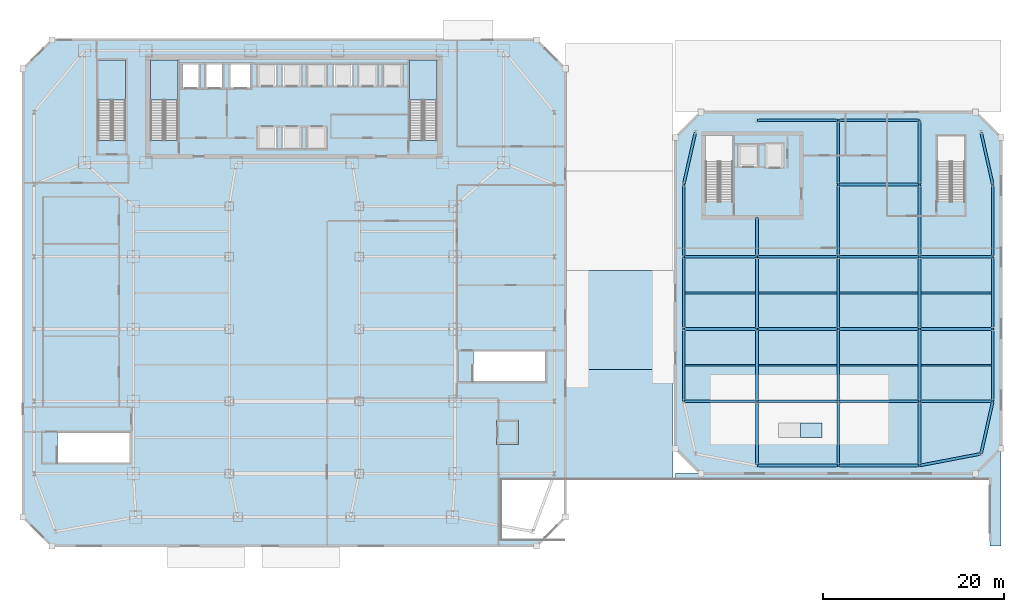
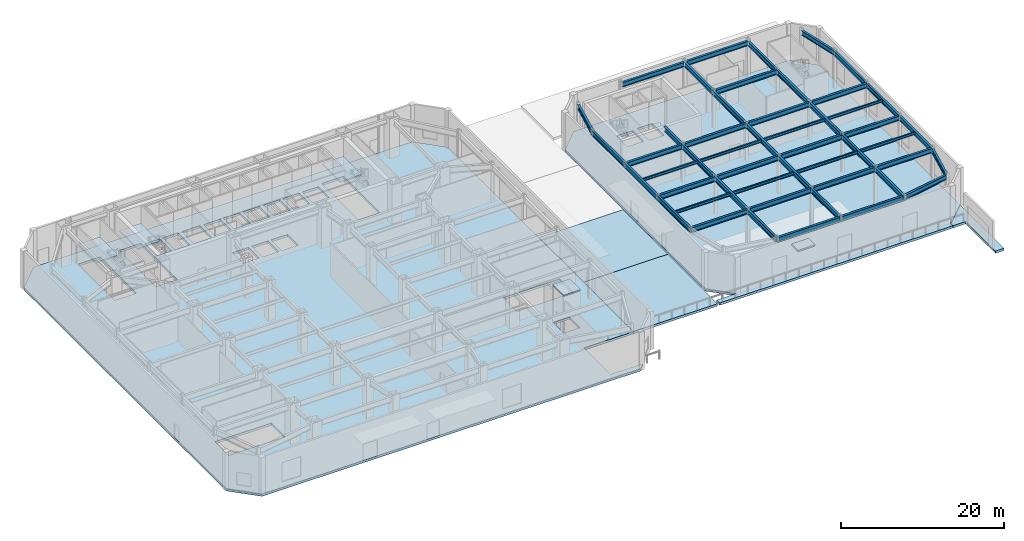
# One storey, part 9 of 23: 49 beams, 10 slabs, 4 elements without a shape of their own.
"""IFC4 building model written with IfcOpenShell, lengths in metres."""

from ifc_helpers import new_model, si_unit, direction, frame, origin, origin_2d, place, context, subcontext, project, spatial, polyline, i_section, outline, extrude, material, layer, layer_set, material_profile, profile_set, type_object, element, aggregate, save


model = new_model("IFC4")

# Units and contexts
model_context = context("Model", 3, precision=1e-05, world=origin(), true_north=direction((0.0, 1.0)))
body_context = subcontext(model_context, "Body", "Model", "MODEL_VIEW")
ifc_project = project(units=[si_unit("LENGTHUNIT", "METRE"), si_unit("AREAUNIT", "SQUARE_METRE"), si_unit("VOLUMEUNIT", "CUBIC_METRE"), si_unit("PLANEANGLEUNIT", "RADIAN"), si_unit("MASSUNIT", "GRAM", prefix="KILO")], contexts=[model_context])

# Site, building, storey
site_placement = place(None, origin())
site = spatial("IfcSite", under=ifc_project, at=site_placement, CompositionType="ELEMENT")
building_placement = place(site_placement, origin())
building = spatial("IfcBuilding", under=site, at=building_placement, Name="Saevonmaru Cultural Tower", CompositionType="ELEMENT")
storey_placement = place(building_placement, origin())
storey = spatial("IfcBuildingStorey", under=building, at=storey_placement, Name="L00", CompositionType="ELEMENT", Elevation=0.0)

# Beams
ifc_material_1 = material(Name="Steel SM355", Category="steel")
ifc_material_profile_1 = material_profile(ifc_material_1, i_section(OverallWidth=0.300048828125, OverallDepth=0.699951171875, WebThickness=0.012939453125, FlangeThickness=0.02392578125, FilletRadius=0.02587890625, at=origin_2d()), Name="H-700x300x13x24")
ifc_profile_set_1 = profile_set([ifc_material_profile_1], Name="Steel SM355")
beam_type_1 = type_object("IfcBeamType", Name="BM-G-H700", PredefinedType="BEAM", material=ifc_profile_set_1)
for number, where, z_axis, x_axis, name in (
    (1, (81.260009765625, 8.89990234375, 5.35009765625), (1.0, 0.0, 0.0), (0.0, 1.0, 0.0), "L00 Library Girder EW-1-2"),
    (2, (90.260009765625, 8.89990234375, 5.35009765625), (1.0, 0.0, 0.0), (0.0, 1.0, 0.0), "L00 Library Girder EW-1-3"),
):
    element("IfcBeam", number, at=place(storey_placement, frame(where, z_axis=z_axis, x_axis=x_axis)), inside=storey, type_object=beam_type_1, Name=name, PredefinedType="BEAM", context=body_context, shape_type="SweptSolid", body=[
        extrude(i_section(OverallWidth=0.300048828125, OverallDepth=0.699951171875, WebThickness=0.012939453125, FlangeThickness=0.02392578125, FilletRadius=0.02587890625, at=origin_2d()), origin(), (0.0, 0.0, 1.0), 8.8798828125),
    ])
beam_1_placement = place(storey_placement, frame((99.2587890625, 8.911376953125, 5.35009765625), z_axis=(0.982216489393, 0.187751878722, 0.0), x_axis=(-0.187751878722, 0.982216489393, 0.0)))
element("IfcBeam", 3, at=beam_1_placement, inside=storey, type_object=beam_type_1, Name="L00 Library Girder EW-1-4", PredefinedType="BEAM", context=body_context, shape_type="SweptSolid", body=[
    extrude(i_section(OverallWidth=0.300048828125, OverallDepth=0.699951171875, WebThickness=0.012939453125, FlangeThickness=0.02392578125, FilletRadius=0.02587890625, at=origin_2d()), origin(), (0.0, 0.0, 1.0), 6.803466796875),
])
beam_2_placement = place(storey_placement, frame((73.159912109375, 16.0, 5.35009765625), z_axis=(1.0, 0.0, 0.0), x_axis=(0.0, 1.0, 0.0)))
element("IfcBeam", 4, at=beam_2_placement, inside=storey, type_object=beam_type_1, Name="L00 Library Girder EW-2-1", PredefinedType="BEAM", context=body_context, shape_type="SweptSolid", body=[
    extrude(i_section(OverallWidth=0.300048828125, OverallDepth=0.699951171875, WebThickness=0.012939453125, FlangeThickness=0.02392578125, FilletRadius=0.02587890625, at=origin_2d()), origin(), (0.0, 0.0, 1.0), 7.97998046875),
])
for number, where, z_axis, x_axis, name in (
    (5, (81.260009765625, 16.0, 5.35009765625), (1.0, 0.0, 0.0), (0.0, 1.0, 0.0), "L00 Library Girder EW-2-2"),
    (6, (90.260009765625, 16.0, 5.35009765625), (1.0, 0.0, 0.0), (0.0, 1.0, 0.0), "L00 Library Girder EW-2-3"),
):
    element("IfcBeam", number, at=place(storey_placement, frame(where, z_axis=z_axis, x_axis=x_axis)), inside=storey, type_object=beam_type_1, Name=name, PredefinedType="BEAM", context=body_context, shape_type="SweptSolid", body=[
        extrude(i_section(OverallWidth=0.300048828125, OverallDepth=0.699951171875, WebThickness=0.012939453125, FlangeThickness=0.02392578125, FilletRadius=0.02587890625, at=origin_2d()), origin(), (0.0, 0.0, 1.0), 8.8798828125),
    ])
for number, where, z_axis, x_axis, name in (
    (7, (99.260009765625, 16.0, 5.35009765625), (1.0, 0.0, 0.0), (0.0, 1.0, 0.0), "L00 Library Girder EW-2-4"),
    (8, (73.159912109375, 24.0, 5.35009765625), (1.0, 0.0, 0.0), (0.0, 1.0, 0.0), "L00 Library Girder EW-3-1"),
):
    element("IfcBeam", number, at=place(storey_placement, frame(where, z_axis=z_axis, x_axis=x_axis)), inside=storey, type_object=beam_type_1, Name=name, PredefinedType="BEAM", context=body_context, shape_type="SweptSolid", body=[
        extrude(i_section(OverallWidth=0.300048828125, OverallDepth=0.699951171875, WebThickness=0.012939453125, FlangeThickness=0.02392578125, FilletRadius=0.02587890625, at=origin_2d()), origin(), (0.0, 0.0, 1.0), 7.97998046875),
    ])
for number, where, z_axis, x_axis, name in (
    (9, (81.260009765625, 24.0, 5.35009765625), (1.0, 0.0, 0.0), (0.0, 1.0, 0.0), "L00 Library Girder EW-3-2"),
    (10, (90.260009765625, 24.0, 5.35009765625), (1.0, 0.0, 0.0), (0.0, 1.0, 0.0), "L00 Library Girder EW-3-3"),
):
    element("IfcBeam", number, at=place(storey_placement, frame(where, z_axis=z_axis, x_axis=x_axis)), inside=storey, type_object=beam_type_1, Name=name, PredefinedType="BEAM", context=body_context, shape_type="SweptSolid", body=[
        extrude(i_section(OverallWidth=0.300048828125, OverallDepth=0.699951171875, WebThickness=0.012939453125, FlangeThickness=0.02392578125, FilletRadius=0.02587890625, at=origin_2d()), origin(), (0.0, 0.0, 1.0), 8.8798828125),
    ])
for number, where, z_axis, x_axis, name in (
    (11, (99.260009765625, 24.0, 5.35009765625), (1.0, 0.0, 0.0), (0.0, 1.0, 0.0), "L00 Library Girder EW-3-4"),
    (12, (73.159912109375, 32.0, 5.35009765625), (1.0, 0.0, 0.0), (0.0, 1.0, 0.0), "L00 Library Girder EW-4-1"),
):
    element("IfcBeam", number, at=place(storey_placement, frame(where, z_axis=z_axis, x_axis=x_axis)), inside=storey, type_object=beam_type_1, Name=name, PredefinedType="BEAM", context=body_context, shape_type="SweptSolid", body=[
        extrude(i_section(OverallWidth=0.300048828125, OverallDepth=0.699951171875, WebThickness=0.012939453125, FlangeThickness=0.02392578125, FilletRadius=0.02587890625, at=origin_2d()), origin(), (0.0, 0.0, 1.0), 7.97998046875),
    ])
for number, where, z_axis, x_axis, name in (
    (13, (81.260009765625, 32.0, 5.35009765625), (1.0, 0.0, 0.0), (0.0, 1.0, 0.0), "L00 Library Girder EW-4-2"),
    (14, (90.260009765625, 32.0, 5.35009765625), (1.0, 0.0, 0.0), (0.0, 1.0, 0.0), "L00 Library Girder EW-4-3"),
):
    element("IfcBeam", number, at=place(storey_placement, frame(where, z_axis=z_axis, x_axis=x_axis)), inside=storey, type_object=beam_type_1, Name=name, PredefinedType="BEAM", context=body_context, shape_type="SweptSolid", body=[
        extrude(i_section(OverallWidth=0.300048828125, OverallDepth=0.699951171875, WebThickness=0.012939453125, FlangeThickness=0.02392578125, FilletRadius=0.02587890625, at=origin_2d()), origin(), (0.0, 0.0, 1.0), 8.8798828125),
    ])
beam_3_placement = place(storey_placement, frame((99.260009765625, 32.0, 5.35009765625), z_axis=(1.0, 0.0, 0.0), x_axis=(0.0, 1.0, 0.0)))
element("IfcBeam", 15, at=beam_3_placement, inside=storey, type_object=beam_type_1, Name="L00 Library Girder EW-4-4", PredefinedType="BEAM", context=body_context, shape_type="SweptSolid", body=[
    extrude(i_section(OverallWidth=0.300048828125, OverallDepth=0.699951171875, WebThickness=0.012939453125, FlangeThickness=0.02392578125, FilletRadius=0.02587890625, at=origin_2d()), origin(), (0.0, 0.0, 1.0), 7.97998046875),
])
for number, where, z_axis, x_axis, name in (
    (16, (90.260009765625, 40.0, 5.35009765625), (1.0, 0.0, 0.0), (0.0, 1.0, 0.0), "L00 Library Girder EW-5-3"),
    (17, (81.260009765625, 47.10009765625, 5.35009765625), (1.0, 0.0, 0.0), (0.0, 1.0, 0.0), "L00 Library Girder EW-6-2"),
    (18, (90.260009765625, 47.10009765625, 5.35009765625), (1.0, 0.0, 0.0), (0.0, 1.0, 0.0), "L00 Library Girder EW-6-3"),
):
    element("IfcBeam", number, at=place(storey_placement, frame(where, z_axis=z_axis, x_axis=x_axis)), inside=storey, type_object=beam_type_1, Name=name, PredefinedType="BEAM", context=body_context, shape_type="SweptSolid", body=[
        extrude(i_section(OverallWidth=0.300048828125, OverallDepth=0.699951171875, WebThickness=0.012939453125, FlangeThickness=0.02392578125, FilletRadius=0.02587890625, at=origin_2d()), origin(), (0.0, 0.0, 1.0), 8.8798828125),
    ])
for number, where, z_axis, x_axis, name in (
    (19, (73.10009765625, 16.06005859375, 5.35009765625), (0.0, 1.0, 0.0), (-1.0, 0.0, 0.0), "L00 Library Girder NS-1-2"),
    (20, (73.10009765625, 24.06005859375, 5.35009765625), (0.0, 1.0, 0.0), (-1.0, 0.0, 0.0), "L00 Library Girder NS-1-3"),
    (21, (73.10009765625, 32.06005859375, 5.35009765625), (0.0, 1.0, 0.0), (-1.0, 0.0, 0.0), "L00 Library Girder NS-1-4"),
):
    element("IfcBeam", number, at=place(storey_placement, frame(where, z_axis=z_axis, x_axis=x_axis)), inside=storey, type_object=beam_type_1, Name=name, PredefinedType="BEAM", context=body_context, shape_type="SweptSolid", body=[
        extrude(i_section(OverallWidth=0.300048828125, OverallDepth=0.699951171875, WebThickness=0.012939453125, FlangeThickness=0.02392578125, FilletRadius=0.02587890625, at=origin_2d()), origin(), (0.0, 0.0, 1.0), 7.8798828125),
    ])
beam_4_placement = place(storey_placement, frame((73.113037109375, 40.05859375, 5.35009765625), z_axis=(0.218741049138, 0.975782943806, 0.0), x_axis=(-0.975782943806, 0.218741049138, 0.0)))
element("IfcBeam", 22, at=beam_4_placement, inside=storey, type_object=beam_type_1, Name="L00 Library Girder NS-1-5", PredefinedType="BEAM", context=body_context, shape_type="SweptSolid", body=[
    extrude(i_section(OverallWidth=0.300048828125, OverallDepth=0.699951171875, WebThickness=0.012939453125, FlangeThickness=0.02392578125, FilletRadius=0.02587890625, at=origin_2d()), origin(), (0.0, 0.0, 1.0), 5.823974609375),
])
beam_5_placement = place(storey_placement, frame((81.199951171875, 8.9599609375, 5.35009765625), z_axis=(0.0, 1.0, 0.0), x_axis=(-1.0, 0.0, 0.0)))
element("IfcBeam", 23, at=beam_5_placement, inside=storey, type_object=beam_type_1, Name="L00 Library Girder NS-2-1", PredefinedType="BEAM", context=body_context, shape_type="SweptSolid", body=[
    extrude(i_section(OverallWidth=0.300048828125, OverallDepth=0.699951171875, WebThickness=0.012939453125, FlangeThickness=0.02392578125, FilletRadius=0.02587890625, at=origin_2d()), origin(), (0.0, 0.0, 1.0), 6.97998046875),
])
for number, where, z_axis, x_axis, name in (
    (24, (81.199951171875, 16.06005859375, 5.35009765625), (0.0, 1.0, 0.0), (-1.0, 0.0, 0.0), "L00 Library Girder NS-2-2"),
    (25, (81.199951171875, 24.06005859375, 5.35009765625), (0.0, 1.0, 0.0), (-1.0, 0.0, 0.0), "L00 Library Girder NS-2-3"),
):
    element("IfcBeam", number, at=place(storey_placement, frame(where, z_axis=z_axis, x_axis=x_axis)), inside=storey, type_object=beam_type_1, Name=name, PredefinedType="BEAM", context=body_context, shape_type="SweptSolid", body=[
        extrude(i_section(OverallWidth=0.300048828125, OverallDepth=0.699951171875, WebThickness=0.012939453125, FlangeThickness=0.02392578125, FilletRadius=0.02587890625, at=origin_2d()), origin(), (0.0, 0.0, 1.0), 7.8798828125),
    ])
beam_6_placement = place(storey_placement, frame((81.199951171875, 32.06005859375, 5.35009765625), z_axis=(0.0, 1.0, 0.0), x_axis=(-1.0, 0.0, 0.0)))
element("IfcBeam", 26, at=beam_6_placement, inside=storey, type_object=beam_type_1, Name="L00 Library Core-Bearing Girder NS-2-4", PredefinedType="BEAM", context=body_context, shape_type="SweptSolid", body=[
    extrude(i_section(OverallWidth=0.300048828125, OverallDepth=0.699951171875, WebThickness=0.012939453125, FlangeThickness=0.02392578125, FilletRadius=0.02587890625, at=origin_2d()), origin(), (0.0, 0.0, 1.0), 4.2900390625),
])
beam_7_placement = place(storey_placement, frame((90.199951171875, 8.9599609375, 5.35009765625), z_axis=(0.0, 1.0, 0.0), x_axis=(-1.0, 0.0, 0.0)))
element("IfcBeam", 27, at=beam_7_placement, inside=storey, type_object=beam_type_1, Name="L00 Library Girder NS-3-1", PredefinedType="BEAM", context=body_context, shape_type="SweptSolid", body=[
    extrude(i_section(OverallWidth=0.300048828125, OverallDepth=0.699951171875, WebThickness=0.012939453125, FlangeThickness=0.02392578125, FilletRadius=0.02587890625, at=origin_2d()), origin(), (0.0, 0.0, 1.0), 6.97998046875),
])
for number, where, z_axis, x_axis, name in (
    (28, (90.199951171875, 16.06005859375, 5.35009765625), (0.0, 1.0, 0.0), (-1.0, 0.0, 0.0), "L00 Library Girder NS-3-2"),
    (29, (90.199951171875, 24.06005859375, 5.35009765625), (0.0, 1.0, 0.0), (-1.0, 0.0, 0.0), "L00 Library Girder NS-3-3"),
    (30, (90.199951171875, 32.06005859375, 5.35009765625), (0.0, 1.0, 0.0), (-1.0, 0.0, 0.0), "L00 Library Girder NS-3-4"),
):
    element("IfcBeam", number, at=place(storey_placement, frame(where, z_axis=z_axis, x_axis=x_axis)), inside=storey, type_object=beam_type_1, Name=name, PredefinedType="BEAM", context=body_context, shape_type="SweptSolid", body=[
        extrude(i_section(OverallWidth=0.300048828125, OverallDepth=0.699951171875, WebThickness=0.012939453125, FlangeThickness=0.02392578125, FilletRadius=0.02587890625, at=origin_2d()), origin(), (0.0, 0.0, 1.0), 7.8798828125),
    ])
for number, where, z_axis, x_axis, name in (
    (31, (90.199951171875, 40.06005859375, 5.35009765625), (0.0, 1.0, 0.0), (-1.0, 0.0, 0.0), "L00 Library Girder NS-3-5"),
    (32, (99.199951171875, 8.9599609375, 5.35009765625), (0.0, 1.0, 0.0), (-1.0, 0.0, 0.0), "L00 Library Girder NS-4-1"),
):
    element("IfcBeam", number, at=place(storey_placement, frame(where, z_axis=z_axis, x_axis=x_axis)), inside=storey, type_object=beam_type_1, Name=name, PredefinedType="BEAM", context=body_context, shape_type="SweptSolid", body=[
        extrude(i_section(OverallWidth=0.300048828125, OverallDepth=0.699951171875, WebThickness=0.012939453125, FlangeThickness=0.02392578125, FilletRadius=0.02587890625, at=origin_2d()), origin(), (0.0, 0.0, 1.0), 6.97998046875),
    ])
for number, where, z_axis, x_axis, name in (
    (33, (99.199951171875, 16.06005859375, 5.35009765625), (0.0, 1.0, 0.0), (-1.0, 0.0, 0.0), "L00 Library Girder NS-4-2"),
    (34, (99.199951171875, 24.06005859375, 5.35009765625), (0.0, 1.0, 0.0), (-1.0, 0.0, 0.0), "L00 Library Girder NS-4-3"),
    (35, (99.199951171875, 32.06005859375, 5.35009765625), (0.0, 1.0, 0.0), (-1.0, 0.0, 0.0), "L00 Library Girder NS-4-4"),
):
    element("IfcBeam", number, at=place(storey_placement, frame(where, z_axis=z_axis, x_axis=x_axis)), inside=storey, type_object=beam_type_1, Name=name, PredefinedType="BEAM", context=body_context, shape_type="SweptSolid", body=[
        extrude(i_section(OverallWidth=0.300048828125, OverallDepth=0.699951171875, WebThickness=0.012939453125, FlangeThickness=0.02392578125, FilletRadius=0.02587890625, at=origin_2d()), origin(), (0.0, 0.0, 1.0), 7.8798828125),
    ])
beam_8_placement = place(storey_placement, frame((99.199951171875, 40.06005859375, 5.35009765625), z_axis=(0.0, 1.0, 0.0), x_axis=(-1.0, 0.0, 0.0)))
element("IfcBeam", 36, at=beam_8_placement, inside=storey, type_object=beam_type_1, Name="L00 Library Girder NS-4-5", PredefinedType="BEAM", context=body_context, shape_type="SweptSolid", body=[
    extrude(i_section(OverallWidth=0.300048828125, OverallDepth=0.699951171875, WebThickness=0.012939453125, FlangeThickness=0.02392578125, FilletRadius=0.02587890625, at=origin_2d()), origin(), (0.0, 0.0, 1.0), 6.97998046875),
])
beam_9_placement = place(storey_placement, frame((106.01318359375, 10.258544921875, 5.35009765625), z_axis=(0.218701133908, 0.975791890737, 0.0), x_axis=(-0.975791890737, 0.218701133908, 0.0)))
element("IfcBeam", 37, at=beam_9_placement, inside=storey, type_object=beam_type_1, Name="L00 Library Girder NS-5-1", PredefinedType="BEAM", context=body_context, shape_type="SweptSolid", body=[
    extrude(i_section(OverallWidth=0.300048828125, OverallDepth=0.699951171875, WebThickness=0.012939453125, FlangeThickness=0.02392578125, FilletRadius=0.02587890625, at=origin_2d()), origin(), (0.0, 0.0, 1.0), 5.82373046875),
])
for number, where, z_axis, x_axis, name in (
    (38, (107.300048828125, 16.06005859375, 5.35009765625), (0.0, 1.0, 0.0), (-1.0, 0.0, 0.0), "L00 Library Girder NS-5-2"),
    (39, (107.300048828125, 24.06005859375, 5.35009765625), (0.0, 1.0, 0.0), (-1.0, 0.0, 0.0), "L00 Library Girder NS-5-3"),
    (40, (107.300048828125, 32.06005859375, 5.35009765625), (0.0, 1.0, 0.0), (-1.0, 0.0, 0.0), "L00 Library Girder NS-5-4"),
):
    element("IfcBeam", number, at=place(storey_placement, frame(where, z_axis=z_axis, x_axis=x_axis)), inside=storey, type_object=beam_type_1, Name=name, PredefinedType="BEAM", context=body_context, shape_type="SweptSolid", body=[
        extrude(i_section(OverallWidth=0.300048828125, OverallDepth=0.699951171875, WebThickness=0.012939453125, FlangeThickness=0.02392578125, FilletRadius=0.02587890625, at=origin_2d()), origin(), (0.0, 0.0, 1.0), 7.8798828125),
    ])
beam_10_placement = place(storey_placement, frame((107.286865234375, 40.05859375, 5.35009765625), z_axis=(-0.218701133908, 0.975791890737, 0.0), x_axis=(-0.975791890737, -0.218701133908, 0.0)))
element("IfcBeam", 41, at=beam_10_placement, inside=storey, type_object=beam_type_1, Name="L00 Library Girder NS-5-5", PredefinedType="BEAM", context=body_context, shape_type="SweptSolid", body=[
    extrude(i_section(OverallWidth=0.300048828125, OverallDepth=0.699951171875, WebThickness=0.012939453125, FlangeThickness=0.02392578125, FilletRadius=0.02587890625, at=origin_2d()), origin(), (0.0, 0.0, 1.0), 5.82373046875),
])
ifc_material_profile_2 = material_profile(ifc_material_1, i_section(OverallWidth=0.199951171875, OverallDepth=0.39990234375, WebThickness=0.008056640625, FlangeThickness=0.012939453125, FilletRadius=0.01611328125, at=origin_2d()), Name="H-400x200x8x13")
ifc_profile_set_2 = profile_set([ifc_material_profile_2], Name="Steel SM355")
beam_type_2 = type_object("IfcBeamType", Name="BM-J-H400", PredefinedType="JOIST", material=ifc_profile_set_2)
beam_11_placement = place(storey_placement, frame((73.258056640625, 20.0, 5.5), z_axis=(1.0, 0.0, 0.0), x_axis=(0.0, 1.0, 0.0)))
element("IfcBeam", 42, at=beam_11_placement, inside=storey, type_object=beam_type_2, Name="L00 Library Joist J-2-1", PredefinedType="JOIST", context=body_context, shape_type="SweptSolid", body=[
    extrude(i_section(OverallWidth=0.199951171875, OverallDepth=0.39990234375, WebThickness=0.008056640625, FlangeThickness=0.012939453125, FilletRadius=0.01611328125, at=origin_2d()), origin(), (0.0, 0.0, 1.0), 7.783935546875),
])
for number, where, z_axis, x_axis, name in (
    (43, (81.35791015625, 20.0, 5.5), (1.0, 0.0, 0.0), (0.0, 1.0, 0.0), "L00 Library Joist J-2-2"),
    (44, (90.35791015625, 20.0, 5.5), (1.0, 0.0, 0.0), (0.0, 1.0, 0.0), "L00 Library Joist J-2-3"),
):
    element("IfcBeam", number, at=place(storey_placement, frame(where, z_axis=z_axis, x_axis=x_axis)), inside=storey, type_object=beam_type_2, Name=name, PredefinedType="JOIST", context=body_context, shape_type="SweptSolid", body=[
        extrude(i_section(OverallWidth=0.199951171875, OverallDepth=0.39990234375, WebThickness=0.008056640625, FlangeThickness=0.012939453125, FilletRadius=0.01611328125, at=origin_2d()), origin(), (0.0, 0.0, 1.0), 8.68408203125),
    ])
beam_12_placement = place(storey_placement, frame((99.35791015625, 20.0, 5.5), z_axis=(1.0, 0.0, 0.0), x_axis=(0.0, 1.0, 0.0)))
element("IfcBeam", 45, at=beam_12_placement, inside=storey, type_object=beam_type_2, Name="L00 Library Joist J-2-4", PredefinedType="JOIST", context=body_context, shape_type="SweptSolid", body=[
    extrude(i_section(OverallWidth=0.199951171875, OverallDepth=0.39990234375, WebThickness=0.008056640625, FlangeThickness=0.012939453125, FilletRadius=0.01611328125, at=origin_2d()), origin(), (0.0, 0.0, 1.0), 7.7841796875),
])
beam_13_placement = place(storey_placement, frame((73.258056640625, 28.0, 5.5), z_axis=(1.0, 0.0, 0.0), x_axis=(0.0, 1.0, 0.0)))
element("IfcBeam", 46, at=beam_13_placement, inside=storey, type_object=beam_type_2, Name="L00 Library Joist J-3-1", PredefinedType="JOIST", context=body_context, shape_type="SweptSolid", body=[
    extrude(i_section(OverallWidth=0.199951171875, OverallDepth=0.39990234375, WebThickness=0.008056640625, FlangeThickness=0.012939453125, FilletRadius=0.01611328125, at=origin_2d()), origin(), (0.0, 0.0, 1.0), 7.783935546875),
])
for number, where, z_axis, x_axis, name in (
    (47, (81.35791015625, 28.0, 5.5), (1.0, 0.0, 0.0), (0.0, 1.0, 0.0), "L00 Library Joist J-3-2"),
    (48, (90.35791015625, 28.0, 5.5), (1.0, 0.0, 0.0), (0.0, 1.0, 0.0), "L00 Library Joist J-3-3"),
):
    element("IfcBeam", number, at=place(storey_placement, frame(where, z_axis=z_axis, x_axis=x_axis)), inside=storey, type_object=beam_type_2, Name=name, PredefinedType="JOIST", context=body_context, shape_type="SweptSolid", body=[
        extrude(i_section(OverallWidth=0.199951171875, OverallDepth=0.39990234375, WebThickness=0.008056640625, FlangeThickness=0.012939453125, FilletRadius=0.01611328125, at=origin_2d()), origin(), (0.0, 0.0, 1.0), 8.68408203125),
    ])
beam_14_placement = place(storey_placement, frame((99.35791015625, 28.0, 5.5), z_axis=(1.0, 0.0, 0.0), x_axis=(0.0, 1.0, 0.0)))
element("IfcBeam", 49, at=beam_14_placement, inside=storey, type_object=beam_type_2, Name="L00 Library Joist J-3-4", PredefinedType="JOIST", context=body_context, shape_type="SweptSolid", body=[
    extrude(i_section(OverallWidth=0.199951171875, OverallDepth=0.39990234375, WebThickness=0.008056640625, FlangeThickness=0.012939453125, FilletRadius=0.01611328125, at=origin_2d()), origin(), (0.0, 0.0, 1.0), 7.7841796875),
])

# Ramp, slab
ifc_material_2 = material(Name="Concrete C40/50", Category="concrete")
ramp_type = type_object("IfcRampType", Name="RMP-PED-1600", PredefinedType="STRAIGHT_RUN_RAMP", material=ifc_material_2)
ramp_placement = place(storey_placement, origin())
ramp = element("IfcRamp", 50, at=ramp_placement, inside=storey, type_object=ramp_type, Name="L00 Barrier-Free Library Reading Dais Ramp PR-5", PredefinedType="STRAIGHT_RUN_RAMP")
ifc_layer_1 = layer(ifc_material_2, 0.199951171875, Name="Concrete C40/50")
ifc_layer_set_1 = layer_set([ifc_layer_1], Name="Concrete C40/50")
slab_type_1 = type_object("IfcSlabType", Name="SL-DAIS-200", PredefinedType="LANDING", material=ifc_layer_set_1)
slab_1_placement = place(storey_placement, origin())
slab_1 = element("IfcSlab", 51, at=slab_1_placement, type_object=slab_type_1, Name="L00 Library Reading Dais Landing 5", PredefinedType="LANDING", context=body_context, shape_type="SweptSolid", body=[
    extrude(outline(polyline([(86.0, 12.0), (88.39990234375, 12.0), (88.39990234375, 13.60009765625), (86.0, 13.60009765625), (86.0, 12.0)])), origin(), (0.0, 0.0, 1.0), 0.199951171875),
])
aggregate(ramp, [slab_1])

# Slabs
ifc_material_3 = material(Name="Concrete C50/60", Category="concrete")
ifc_layer_2 = layer(ifc_material_3, 0.35009765625, Name="Concrete C50/60")
ifc_layer_set_2 = layer_set([ifc_layer_2], Name="Concrete C50/60")
slab_type_2 = type_object("IfcSlabType", Name="SL-FLR-350", PredefinedType="FLOOR", material=ifc_layer_set_2)
slab_2_placement = place(storey_placement, frame((0.0, 0.0, -0.35009765625)))
element("IfcSlab", 52, at=slab_2_placement, inside=storey, type_object=slab_type_2, Name="L00 Tower and Station Entrance Floor Slab", PredefinedType="FLOOR", context=body_context, shape_type="SweptSolid", body=[
    extrude(outline(polyline([(57.60009765625, 0.800048828125), (53.0, 0.800048828125), (53.0, 7.300048828125), (60.0, 7.300048828125), (60.0, 52.800048828125), (56.800048828125, 56.0), (3.199951171875, 56.0), (0.0, 52.800048828125), (0.0, 3.199951171875), (3.199951171875, 0.0), (56.800048828125, 0.0), (57.60009765625, 0.800048828125)]), holes=[polyline([(49.824951171875, 21.550048828125), (57.800048828125, 21.550048828125), (57.800048828125, 18.199951171875), (49.824951171875, 18.199951171875), (49.824951171875, 21.550048828125)]), polyline([(52.449951171875, 11.300048828125), (52.449951171875, 13.89990234375), (54.75, 13.89990234375), (54.75, 11.300048828125), (52.449951171875, 11.300048828125)]), polyline([(45.800048828125, 44.875), (42.75, 44.875), (42.75, 53.800048828125), (45.800048828125, 53.800048828125), (45.800048828125, 44.875)]), polyline([(39.75, 53.39990234375), (42.050048828125, 53.39990234375), (42.050048828125, 50.800048828125), (39.75, 50.800048828125), (39.75, 53.39990234375)]), polyline([(37.0, 53.39990234375), (39.300048828125, 53.39990234375), (39.300048828125, 50.800048828125), (37.0, 50.800048828125), (37.0, 53.39990234375)]), polyline([(34.25, 50.800048828125), (34.25, 53.39990234375), (36.550048828125, 53.39990234375), (36.550048828125, 50.800048828125), (34.25, 50.800048828125)]), polyline([(31.35009765625, 50.800048828125), (31.35009765625, 53.39990234375), (33.64990234375, 53.39990234375), (33.64990234375, 50.800048828125), (31.35009765625, 50.800048828125)]), polyline([(31.35009765625, 46.449951171875), (33.64990234375, 46.449951171875), (33.64990234375, 43.85009765625), (31.35009765625, 43.85009765625), (31.35009765625, 46.449951171875)]), polyline([(28.60009765625, 50.800048828125), (28.60009765625, 53.39990234375), (30.89990234375, 53.39990234375), (30.89990234375, 50.800048828125), (28.60009765625, 50.800048828125)]), polyline([(28.60009765625, 43.85009765625), (28.60009765625, 46.449951171875), (30.89990234375, 46.449951171875), (30.89990234375, 43.85009765625), (28.60009765625, 43.85009765625)]), polyline([(25.85009765625, 43.85009765625), (25.85009765625, 46.449951171875), (28.14990234375, 46.449951171875), (28.14990234375, 43.85009765625), (25.85009765625, 43.85009765625)]), polyline([(25.85009765625, 53.39990234375), (28.14990234375, 53.39990234375), (28.14990234375, 50.800048828125), (25.85009765625, 50.800048828125), (25.85009765625, 53.39990234375)]), polyline([(22.800048828125, 53.449951171875), (25.300048828125, 53.449951171875), (25.300048828125, 50.550048828125), (22.800048828125, 50.550048828125), (22.800048828125, 53.449951171875)]), polyline([(20.10009765625, 50.550048828125), (20.10009765625, 53.449951171875), (22.199951171875, 53.449951171875), (22.199951171875, 50.550048828125), (20.10009765625, 50.550048828125)]), polyline([(17.5, 50.550048828125), (17.5, 53.449951171875), (19.60009765625, 53.449951171875), (19.60009765625, 50.550048828125), (17.5, 50.550048828125)]), polyline([(17.14990234375, 44.875), (14.10009765625, 44.875), (14.10009765625, 53.800048828125), (17.14990234375, 53.800048828125), (17.14990234375, 44.875)]), polyline([(3.824951171875, 9.199951171875), (3.824951171875, 12.550048828125), (11.800048828125, 12.550048828125), (11.800048828125, 9.199951171875), (3.824951171875, 9.199951171875)]), polyline([(11.35009765625, 44.875), (8.300048828125, 44.875), (8.300048828125, 53.800048828125), (11.35009765625, 53.800048828125), (11.35009765625, 44.875)])]), origin(), (0.0, 0.0, 1.0), 0.35009765625),
])
slab_3_placement = place(storey_placement, frame((0.0, 0.0, -0.35009765625)))
element("IfcSlab", 53, at=slab_3_placement, inside=storey, type_object=slab_type_2, Name="L00 Central Public Library Ground Floor Slab", PredefinedType="FLOOR", context=body_context, shape_type="SweptSolid", body=[
    extrude(outline(polyline([(105.199951171875, 7.300048828125), (105.199951171875, 8.0), (105.39990234375, 8.0), (108.199951171875, 10.800048828125), (108.199951171875, 45.199951171875), (105.39990234375, 48.0), (75.0, 48.0), (72.199951171875, 45.199951171875), (72.199951171875, 10.800048828125), (74.949951171875, 8.050048828125), (72.199951171875, 8.050048828125), (72.199951171875, 7.300048828125), (105.199951171875, 7.300048828125)]), holes=[polyline([(82.10009765625, 44.64990234375), (84.199951171875, 44.64990234375), (84.199951171875, 41.75), (82.10009765625, 41.75), (82.10009765625, 44.64990234375)]), polyline([(79.10009765625, 44.5), (81.39990234375, 44.5), (81.39990234375, 41.89990234375), (79.10009765625, 41.89990234375), (79.10009765625, 44.5)])]), origin(), (0.0, 0.0, 1.0), 0.35009765625),
])
ifc_material_4 = material(Name="Precast concrete C40/50", Category="concrete")
ifc_layer_3 = layer(ifc_material_4, 0.35009765625, Name="Precast concrete C40/50")
ifc_layer_set_3 = layer_set([ifc_layer_3], Name="Precast concrete C40/50")
slab_type_3 = type_object("IfcSlabType", Name="SL-PAVING-350", PredefinedType="USERDEFINED", material=ifc_layer_set_3)
slab_4_placement = place(storey_placement, frame((0.0, 0.0, -0.35009765625)))
element("IfcSlab", 54, at=slab_4_placement, inside=storey, type_object=slab_type_3, Name="Saevon Plaza Granite Paving Panel 1", ObjectType="PAVING", PredefinedType="USERDEFINED", context=body_context, shape_type="SweptSolid", body=[
    extrude(outline(polyline([(60.0, 7.300048828125), (71.89990234375, 7.300048828125), (71.89990234375, 19.5), (60.0, 19.5), (60.0, 7.300048828125)])), origin(), (0.0, 0.0, 1.0), 0.35009765625),
])
slab_5_placement = place(storey_placement, frame((0.0, 0.0, -0.35009765625)))
element("IfcSlab", 55, at=slab_5_placement, inside=storey, type_object=slab_type_3, Name="Saevon Plaza Granite Paving Panel 2", ObjectType="PAVING", PredefinedType="USERDEFINED", context=body_context, shape_type="SweptSolid", body=[
    extrude(outline(polyline([(60.0, 19.5), (71.89990234375, 19.5), (71.89990234375, 30.5), (60.0, 30.5), (60.0, 19.5)])), origin(), (0.0, 0.0, 1.0), 0.35009765625),
])
slab_6_placement = place(storey_placement, frame((0.0, 0.0, -0.35009765625)))
element("IfcSlab", 56, at=slab_6_placement, inside=storey, type_object=slab_type_3, Name="East Forecourt Street Driveway Apron", ObjectType="PAVING", PredefinedType="USERDEFINED", context=body_context, shape_type="SweptSolid", body=[
    extrude(outline(polyline([(108.199951171875, 10.771728515625), (105.4140625, 7.98583984375), (105.41259765625, 7.984619140625), (105.4111328125, 7.9833984375), (105.409423828125, 7.982421875), (105.40771484375, 7.9814453125), (105.40576171875, 7.98095703125), (105.40380859375, 7.98046875), (105.402099609375, 7.97998046875), (105.39990234375, 7.97998046875), (105.219970703125, 7.97998046875), (105.219970703125, 7.300048828125), (107.0, 7.300048828125), (107.0, 0.0), (108.199951171875, 0.0), (108.199951171875, 10.771728515625)])), origin(), (0.0, 0.0, 1.0), 0.35009765625),
])
ifc_layer_4 = layer(ifc_material_2, 0.219970703125, Name="Concrete C40/50")
ifc_layer_set_4 = layer_set([ifc_layer_4], Name="Concrete C40/50")
slab_type_4 = type_object("IfcSlabType", Name="SL-SHAFT-CAP-220", PredefinedType="ROOF", material=ifc_layer_set_4)
slab_7_placement = place(storey_placement, frame((0.0, 0.0, 5.47998046875)))
element("IfcSlab", 57, at=slab_7_placement, inside=storey, type_object=slab_type_4, Name="Lift SLF-1 Overrun Cap Slab", PredefinedType="ROOF", context=body_context, shape_type="SweptSolid", body=[
    extrude(outline(polyline([(52.39990234375, 11.25), (54.800048828125, 11.25), (54.800048828125, 13.949951171875), (52.39990234375, 13.949951171875), (52.39990234375, 11.25)])), origin(), (0.0, 0.0, 1.0), 0.219970703125),
])

# Stair, slab
stair_type = type_object("IfcStairType", Name="STR-DOGLEG-RC", PredefinedType="HALF_TURN_STAIR", material=ifc_material_2)
stair_1_placement = place(storey_placement, origin())
stair_1 = element("IfcStair", 58, at=stair_1_placement, inside=storey, type_object=stair_type, Name="L00 Protected exit stair ST-1", PredefinedType="HALF_TURN_STAIR")
ifc_layer_5 = layer(ifc_material_2, 0.199951171875, Name="Concrete C40/50")
ifc_layer_set_5 = layer_set([ifc_layer_5], Name="Concrete C40/50")
slab_type_5 = type_object("IfcSlabType", Name="SL-STAIR-LANDING", PredefinedType="LANDING", material=ifc_layer_set_5)
slab_8_placement = place(storey_placement, frame((0.0, 0.0, 2.800048828125)))
slab_8 = element("IfcSlab", 59, at=slab_8_placement, type_object=slab_type_5, Name="ST-1-L00 landing 1", PredefinedType="LANDING", context=body_context, shape_type="SweptSolid", body=[
    extrude(outline(polyline([(17.14990234375, 49.330078125), (17.14990234375, 53.800048828125), (14.10009765625, 53.800048828125), (14.10009765625, 49.330078125), (17.14990234375, 49.330078125)])), origin(), (0.0, 0.0, 1.0), 0.199951171875),
])
aggregate(stair_1, [slab_8])

stair_2_placement = place(storey_placement, origin())
stair_2 = element("IfcStair", 60, at=stair_2_placement, inside=storey, type_object=stair_type, Name="L00 Protected exit stair ST-2", PredefinedType="HALF_TURN_STAIR")
slab_9_placement = place(storey_placement, frame((0.0, 0.0, 2.800048828125)))
slab_9 = element("IfcSlab", 61, at=slab_9_placement, type_object=slab_type_5, Name="ST-2-L00 landing 1", PredefinedType="LANDING", context=body_context, shape_type="SweptSolid", body=[
    extrude(outline(polyline([(45.800048828125, 49.330078125), (45.800048828125, 53.800048828125), (42.75, 53.800048828125), (42.75, 49.330078125), (45.800048828125, 49.330078125)])), origin(), (0.0, 0.0, 1.0), 0.199951171875),
])
aggregate(stair_2, [slab_9])

stair_3_placement = place(storey_placement, origin())
stair_3 = element("IfcStair", 62, at=stair_3_placement, inside=storey, type_object=stair_type, Name="L00 Protected exit stair ST-3", PredefinedType="HALF_TURN_STAIR")
slab_10_placement = place(storey_placement, frame((0.0, 0.0, 2.800048828125)))
slab_10 = element("IfcSlab", 63, at=slab_10_placement, type_object=slab_type_5, Name="ST-3-L00 landing 1", PredefinedType="LANDING", context=body_context, shape_type="SweptSolid", body=[
    extrude(outline(polyline([(11.35009765625, 49.330078125), (11.35009765625, 53.800048828125), (8.300048828125, 53.800048828125), (8.300048828125, 49.330078125), (11.35009765625, 49.330078125)])), origin(), (0.0, 0.0, 1.0), 0.199951171875),
])
aggregate(stair_3, [slab_10])

save(model, "model.ifc")
